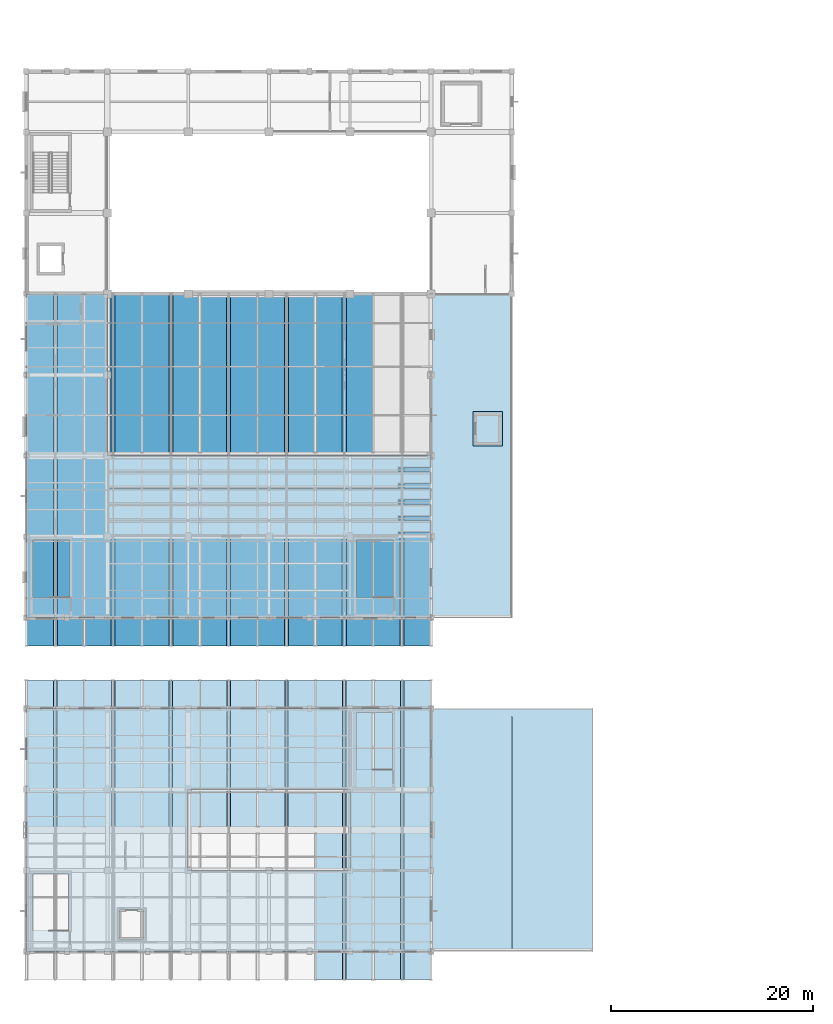
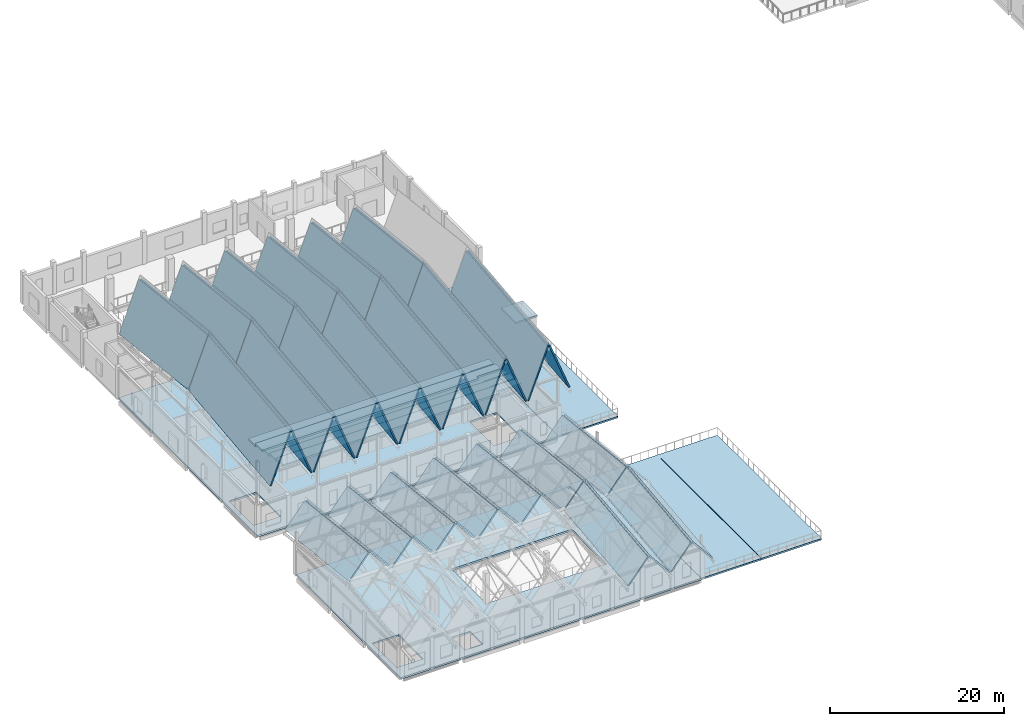
# One storey, part 27 of 77: 54 slabs.
"""IFC4 building model written with IfcOpenShell, lengths in metres."""

from ifc_helpers import new_model, si_unit, direction, frame, origin, place, context, subcontext, project, spatial, polyline, outline, extrude, material, layer, layer_set, type_object, element, save


model = new_model("IFC4")

# Units and contexts
model_context = context("Model", 3, precision=1e-05, world=origin(), true_north=direction((0.0, 1.0)))
body_context = subcontext(model_context, "Body", "Model", "MODEL_VIEW")
ifc_project = project(units=[si_unit("LENGTHUNIT", "METRE"), si_unit("AREAUNIT", "SQUARE_METRE"), si_unit("VOLUMEUNIT", "CUBIC_METRE"), si_unit("PLANEANGLEUNIT", "RADIAN"), si_unit("MASSUNIT", "GRAM", prefix="KILO")], contexts=[model_context])

# Site, building, storey
site_placement = place(None, origin())
site = spatial("IfcSite", under=ifc_project, at=site_placement, CompositionType="ELEMENT")
building_placement = place(site_placement, origin())
building = spatial("IfcBuilding", under=site, at=building_placement, Name="Luwemba Playhouse", CompositionType="ELEMENT")
storey_placement = place(building_placement, frame((0.0, 0.0, 9.300048828125)))
storey = spatial("IfcBuildingStorey", under=building, at=storey_placement, Name="L02", CompositionType="ELEMENT", Elevation=9.300048828125)

# Slabs
ifc_material_1 = material(Name="Concrete C40/50", Category="concrete")
ifc_layer_1 = layer(ifc_material_1, 0.25)
ifc_layer_set_1 = layer_set([ifc_layer_1], Name="Concrete C40/50")
slab_type_1 = type_object("IfcSlabType", Name="SLB-FLR-250", PredefinedType="FLOOR", material=ifc_layer_set_1)
slab_1_placement = place(storey_placement, frame((0.0, 0.0, -0.25)))
element("IfcSlab", 1, at=slab_1_placement, inside=storey, type_object=slab_type_1, Name="L02 V1 structural floor slab", PredefinedType="FLOOR", context=body_context, shape_type="SweptSolid", body=[
    extrude(outline(polyline([(4.0, 36.0), (4.0, 68.0), (12.0, 68.0), (12.0, 52.0), (44.0, 52.0), (44.0, 36.0), (4.0, 36.0)]), holes=[polyline([(8.25, 43.659912109375), (4.64990234375, 43.659912109375), (4.64990234375, 38.0400390625), (8.25, 38.0400390625), (8.25, 43.659912109375)]), polyline([(40.25, 38.0400390625), (40.25, 43.659912109375), (36.64990234375, 43.659912109375), (36.64990234375, 38.0400390625), (40.25, 38.0400390625)])]), origin(), (0.0, 0.0, 1.0), 0.25),
])
slab_2_placement = place(storey_placement, frame((0.0, 0.0, -0.25)))
element("IfcSlab", 2, at=slab_2_placement, inside=storey, type_object=slab_type_1, Name="L02 V5W structural floor slab", PredefinedType="FLOOR", context=body_context, shape_type="SweptSolid", body=[
    extrude(outline(polyline([(44.0, 27.0), (44.0, 3.0), (4.0, 3.0), (4.0, 27.0), (44.0, 27.0)]), holes=[polyline([(13.199951171875, 4.199951171875), (15.60009765625, 4.199951171875), (15.60009765625, 7.10009765625), (13.199951171875, 7.10009765625), (13.199951171875, 4.199951171875)]), polyline([(8.14990234375, 5.0400390625), (8.14990234375, 10.659912109375), (4.64990234375, 10.659912109375), (4.64990234375, 5.0400390625), (8.14990234375, 5.0400390625)]), polyline([(20.0, 11.0), (36.0, 11.0), (36.0, 19.0), (20.0, 19.0), (20.0, 11.0)]), polyline([(40.14990234375, 20.9599609375), (40.14990234375, 26.580078125), (36.64990234375, 26.580078125), (36.64990234375, 20.9599609375), (40.14990234375, 20.9599609375)])]), origin(), (0.0, 0.0, 1.0), 0.25),
])
ifc_material_2 = material(Name="Concrete C32/40", Category="concrete")
ifc_layer_2 = layer(ifc_material_2, 0.199951171875)
ifc_layer_set_2 = layer_set([ifc_layer_2], Name="Concrete C32/40")
slab_type_2 = type_object("IfcSlabType", Name="SLB-ROOF-200", PredefinedType="ROOF", material=ifc_layer_set_2)
slab_3_placement = place(storey_placement, frame((4.0400390625, 33.199951171875, 8.649658203125), z_axis=(-0.932205317915, -0.040344394789, 0.359674262437), x_axis=(0.359967335793, 0.0, 0.932964906715)))
element("IfcSlab", 3, at=slab_3_placement, inside=storey, type_object=slab_type_2, Name="RF-V1 pleated roof facet 1S", PredefinedType="ROOF", context=body_context, shape_type="SweptSolid", body=[
    extrude(outline(polyline([(0.0, 0.0), (7.265877360401482, 1.3877787807814457e-17), (9.227016971440698, 18.755260139423207), (1.961139611039215, 18.755260139423207), (0.0, 0.0)])), origin(), (0.0, 0.0, -1.0), 0.199951171875),
])
slab_4_placement = place(storey_placement, frame((4.0400390625, 52.06005859375, 10.751708984375), z_axis=(-0.932207523202, 0.040343594112, 0.359668636525), x_axis=(0.359961702833, 2.43781e-07, 0.932967080069)))
element("IfcSlab", 4, at=slab_4_placement, inside=storey, type_object=slab_type_2, Name="RF-V1 pleated roof facet 1N", PredefinedType="ROOF", context=body_context, shape_type="SweptSolid", body=[
    extrude(outline(polyline([(0.0, 0.0), (7.265877360268832, -2.7755575615628914e-17), (5.597883705260919, 15.952927865763767), (-1.6682214301739455, 15.952931411265745), (0.0, 0.0)])), origin(), (0.0, 0.0, -1.0), 0.199951171875),
])
slab_5_placement = place(storey_placement, frame((7.05859375, 33.199951171875, 15.4287109375), z_axis=(0.932202715379, -0.040345141991, 0.359680923818), x_axis=(0.359974013471, 0.0, -0.932962330229)))
element("IfcSlab", 5, at=slab_5_placement, inside=storey, type_object=slab_type_2, Name="RF-V1 pleated roof facet 2S", PredefinedType="ROOF", context=body_context, shape_type="SweptSolid", body=[
    extrude(outline(polyline([(0.0, 0.0), (7.266420792508808, -1.3877787807814457e-17), (5.305286597375122, 18.755260705735378), (-1.9611341951336851, 18.755260705735378), (0.0, 0.0)])), origin(), (0.0, 0.0, -1.0), 0.199951171875),
])
slab_6_placement = place(storey_placement, frame((7.05859375, 52.06005859375, 17.53076171875), z_axis=(0.93220282535, 0.040342222635, 0.359680966249), x_axis=(0.359974013471, 0.0, -0.932962330229)))
element("IfcSlab", 6, at=slab_6_placement, inside=storey, type_object=slab_type_2, Name="RF-V1 pleated roof facet 2N", PredefinedType="ROOF", context=body_context, shape_type="SweptSolid", body=[
    extrude(outline(polyline([(0.0, 0.0), (7.266420792508808, 0.0), (8.934409841401257, 15.952928347426106), (1.667989048892448, 15.952928347426107), (0.0, 0.0)])), origin(), (0.0, 0.0, -1.0), 0.199951171875),
])
slab_7_placement = place(storey_placement, frame((9.75439453125, 33.199951171875, 8.649658203125), z_axis=(-0.932207604932, -0.040341424428, 0.359668668058), x_axis=(0.359961684468, 2.4376e-07, 0.932967087155)))
element("IfcSlab", 7, at=slab_7_placement, inside=storey, type_object=slab_type_2, Name="RF-V1 pleated roof facet 3S", PredefinedType="ROOF", context=body_context, shape_type="SweptSolid", body=[
    extrude(outline(polyline([(0.0, 0.0), (7.26610513543573, 1.3877787807814457e-17), (9.227026122760481, 18.75525563724972), (1.961148762492514, 18.75525918244988), (0.0, 0.0)])), origin(), (0.0, 0.0, -1.0), 0.199951171875),
])
slab_8_placement = place(storey_placement, frame((9.75439453125, 52.06005859375, 10.751708984375), z_axis=(-0.932207523202, 0.040343594112, 0.359668636525), x_axis=(0.359961702833, 2.43781e-07, 0.932967080069)))
element("IfcSlab", 8, at=slab_8_placement, inside=storey, type_object=slab_type_2, Name="RF-V1 pleated roof facet 3N", PredefinedType="ROOF", context=body_context, shape_type="SweptSolid", body=[
    extrude(outline(polyline([(0.0, 0.0), (7.265877360268832, -2.7755575615628914e-17), (5.597883705260919, 15.952927865763767), (-1.6682214301739455, 15.952931411265745), (0.0, 0.0)])), origin(), (0.0, 0.0, -1.0), 0.199951171875),
])
slab_9_placement = place(storey_placement, frame((12.77294921875, 33.199951171875, 15.4287109375), z_axis=(0.932202715379, -0.040345141991, 0.359680923818), x_axis=(0.359974013471, 0.0, -0.932962330229)))
element("IfcSlab", 9, at=slab_9_placement, inside=storey, type_object=slab_type_2, Name="RF-V1 pleated roof facet 4S", PredefinedType="ROOF", context=body_context, shape_type="SweptSolid", body=[
    extrude(outline(polyline([(0.0, 0.0), (7.266420792508808, -1.3877787807814457e-17), (5.305286597375122, 18.755260705735378), (-1.9611341951336851, 18.755260705735378), (0.0, 0.0)])), origin(), (0.0, 0.0, -1.0), 0.199951171875),
])
slab_10_placement = place(storey_placement, frame((12.77294921875, 52.06005859375, 17.53076171875), z_axis=(0.93220282535, 0.040342222635, 0.359680966249), x_axis=(0.359974013471, 0.0, -0.932962330229)))
element("IfcSlab", 10, at=slab_10_placement, inside=storey, type_object=slab_type_2, Name="RF-V1 pleated roof facet 4N", PredefinedType="ROOF", context=body_context, shape_type="SweptSolid", body=[
    extrude(outline(polyline([(0.0, 0.0), (7.266420792508808, 0.0), (8.934409841401257, 15.952928347426106), (1.667989048892448, 15.952928347426107), (0.0, 0.0)])), origin(), (0.0, 0.0, -1.0), 0.199951171875),
])
slab_11_placement = place(storey_placement, frame((15.468505859375, 33.199951171875, 8.649658203125), z_axis=(-0.932209715627, -0.040343132146, 0.359663005853), x_axis=(0.359956051671, 0.0, 0.932969260408)))
element("IfcSlab", 11, at=slab_11_placement, inside=storey, type_object=slab_type_2, Name="RF-V1 pleated roof facet 5S", PredefinedType="ROOF", context=body_context, shape_type="SweptSolid", body=[
    extrude(outline(polyline([(0.0, 0.0), (7.266105135568376, -1.3877787807814457e-17), (9.22725389829038, 18.755259182477275), (1.9611487627220041, 18.755259182477275), (0.0, 0.0)])), origin(), (0.0, 0.0, -1.0), 0.199951171875),
])
slab_12_placement = place(storey_placement, frame((15.468505859375, 52.06005859375, 10.751708984375), z_axis=(-0.932209618417, 0.040345712669, 0.359662968347), x_axis=(0.359956051671, 0.0, 0.932969260408)))
element("IfcSlab", 12, at=slab_12_placement, inside=storey, type_object=slab_type_2, Name="RF-V1 pleated roof facet 5N", PredefinedType="ROOF", context=body_context, shape_type="SweptSolid", body=[
    extrude(outline(polyline([(0.0, 0.0), (7.266105135568375, 1.3877787807814457e-17), (5.5978759209137925, 15.952930597289685), (-1.6682292146545825, 15.952930597289686), (0.0, 0.0)])), origin(), (0.0, 0.0, -1.0), 0.199951171875),
])
slab_13_placement = place(storey_placement, frame((18.4873046875, 33.199951171875, 15.4287109375), z_axis=(0.932214112926, -0.040341869576, 0.35965174992), x_axis=(0.359944768203, 0.0, -0.932973613691)))
element("IfcSlab", 13, at=slab_13_placement, inside=storey, type_object=slab_type_2, Name="RF-V1 pleated roof facet 6S", PredefinedType="ROOF", context=body_context, shape_type="SweptSolid", body=[
    extrude(outline(polyline([(0.0, 0.0), (7.266332911798132, -1.3877787807814457e-17), (5.305174998253952, 18.755258225616814), (-1.9611579135441803, 18.755258225616814), (0.0, 0.0)])), origin(), (0.0, 0.0, -1.0), 0.199951171875),
])
slab_14_placement = place(storey_placement, frame((18.4873046875, 52.06005859375, 17.53076171875), z_axis=(0.932211920707, 0.040342331511, 0.359657380266), x_axis=(0.359950400673, 2.4375e-07, -0.932971440643)))
element("IfcSlab", 14, at=slab_14_placement, inside=storey, type_object=slab_type_2, Name="RF-V1 pleated roof facet 6N", PredefinedType="ROOF", context=body_context, shape_type="SweptSolid", body=[
    extrude(outline(polyline([(0.0, 0.0), (7.266332911665499, 1.3877787807814457e-17), (8.934342133898962, 15.952926238090399), (1.6682369984640897, 15.952929783259139), (0.0, 0.0)])), origin(), (0.0, 0.0, -1.0), 0.199951171875),
])
slab_15_placement = place(storey_placement, frame((21.182861328125, 33.199951171875, 8.649658203125), z_axis=(-0.932209715627, -0.040343132146, 0.359663005853), x_axis=(0.359956051671, 0.0, 0.932969260408)))
element("IfcSlab", 15, at=slab_15_placement, inside=storey, type_object=slab_type_2, Name="RF-V1 pleated roof facet 7S", PredefinedType="ROOF", context=body_context, shape_type="SweptSolid", body=[
    extrude(outline(polyline([(0.0, 0.0), (7.266105135568376, -1.3877787807814457e-17), (9.22725389829038, 18.755259182477275), (1.9611487627220041, 18.755259182477275), (0.0, 0.0)])), origin(), (0.0, 0.0, -1.0), 0.199951171875),
])
slab_16_placement = place(storey_placement, frame((21.182861328125, 52.06005859375, 10.751708984375), z_axis=(-0.932209618417, 0.040345712669, 0.359662968347), x_axis=(0.359956051671, 0.0, 0.932969260408)))
element("IfcSlab", 16, at=slab_16_placement, inside=storey, type_object=slab_type_2, Name="RF-V1 pleated roof facet 7N", PredefinedType="ROOF", context=body_context, shape_type="SweptSolid", body=[
    extrude(outline(polyline([(0.0, 0.0), (7.266105135568375, 1.3877787807814457e-17), (5.5978759209137925, 15.952930597289685), (-1.6682292146545825, 15.952930597289686), (0.0, 0.0)])), origin(), (0.0, 0.0, -1.0), 0.199951171875),
])
slab_17_placement = place(storey_placement, frame((24.20166015625, 33.199951171875, 15.4287109375), z_axis=(0.932209715627, -0.040343132146, 0.359663005853), x_axis=(0.359956051671, 0.0, -0.932969260408)))
element("IfcSlab", 17, at=slab_17_placement, inside=storey, type_object=slab_type_2, Name="RF-V1 pleated roof facet 8S", PredefinedType="ROOF", context=body_context, shape_type="SweptSolid", body=[
    extrude(outline(polyline([(0.0, 0.0), (7.266105135568376, 1.3877787807814457e-17), (5.304956372846372, 18.755259182477275), (-1.9611487627220041, 18.755259182477275), (0.0, 0.0)])), origin(), (0.0, 0.0, -1.0), 0.199951171875),
])
slab_18_placement = place(storey_placement, frame((24.20166015625, 52.06005859375, 17.53076171875), z_axis=(0.932209618417, 0.040345712669, 0.359662968347), x_axis=(0.359956051671, 0.0, -0.932969260408)))
element("IfcSlab", 18, at=slab_18_placement, inside=storey, type_object=slab_type_2, Name="RF-V1 pleated roof facet 8N", PredefinedType="ROOF", context=body_context, shape_type="SweptSolid", body=[
    extrude(outline(polyline([(0.0, 0.0), (7.266105135568375, -1.3877787807814457e-17), (8.934334350222958, 15.952930597289685), (1.6682292146545825, 15.952930597289686), (0.0, 0.0)])), origin(), (0.0, 0.0, -1.0), 0.199951171875),
])
slab_19_placement = place(storey_placement, frame((26.897216796875, 33.199951171875, 8.6494140625), z_axis=(-0.932214112926, -0.040341869576, 0.35965174992), x_axis=(0.359944768203, 0.0, 0.932973613691)))
element("IfcSlab", 19, at=slab_19_placement, inside=storey, type_object=slab_type_2, Name="RF-V1 pleated roof facet 9S", PredefinedType="ROOF", context=body_context, shape_type="SweptSolid", body=[
    extrude(outline(polyline([(0.0, 0.0), (7.266332911798132, 1.3877787807814457e-17), (9.227490825342311, 18.755258225616814), (1.9611579135441803, 18.755258225616814), (0.0, 0.0)])), origin(), (0.0, 0.0, -1.0), 0.199951171875),
])
slab_20_placement = place(storey_placement, frame((26.897216796875, 52.06005859375, 10.75146484375), z_axis=(-0.932211920707, 0.040342331511, 0.359657380266), x_axis=(0.359950400673, -2.4375e-07, 0.932971440643)))
element("IfcSlab", 20, at=slab_20_placement, inside=storey, type_object=slab_type_2, Name="RF-V1 pleated roof facet 9N", PredefinedType="ROOF", context=body_context, shape_type="SweptSolid", body=[
    extrude(outline(polyline([(0.0, 0.0), (7.266332911665499, -1.3877787807814457e-17), (5.598095913201409, 15.95292978325914), (-1.668009222233464, 15.952926238090399), (0.0, 0.0)])), origin(), (0.0, 0.0, -1.0), 0.199951171875),
])
slab_21_placement = place(storey_placement, frame((29.916015625, 33.199951171875, 15.4287109375), z_axis=(0.932209715627, -0.040343132146, 0.359663005853), x_axis=(0.359956051671, 0.0, -0.932969260408)))
element("IfcSlab", 21, at=slab_21_placement, inside=storey, type_object=slab_type_2, Name="RF-V1 pleated roof facet 10S", PredefinedType="ROOF", context=body_context, shape_type="SweptSolid", body=[
    extrude(outline(polyline([(0.0, 0.0), (7.266105135568376, 1.3877787807814457e-17), (5.304956372846372, 18.755259182477275), (-1.9611487627220041, 18.755259182477275), (0.0, 0.0)])), origin(), (0.0, 0.0, -1.0), 0.199951171875),
])
slab_22_placement = place(storey_placement, frame((29.916015625, 52.06005859375, 17.53076171875), z_axis=(0.932209618417, 0.040345712669, 0.359662968347), x_axis=(0.359956051671, 0.0, -0.932969260408)))
element("IfcSlab", 22, at=slab_22_placement, inside=storey, type_object=slab_type_2, Name="RF-V1 pleated roof facet 10N", PredefinedType="ROOF", context=body_context, shape_type="SweptSolid", body=[
    extrude(outline(polyline([(0.0, 0.0), (7.266105135568375, -1.3877787807814457e-17), (8.934334350222958, 15.952930597289685), (1.6682292146545825, 15.952930597289686), (0.0, 0.0)])), origin(), (0.0, 0.0, -1.0), 0.199951171875),
])
slab_23_placement = place(storey_placement, frame((32.611328125, 33.199951171875, 8.6494140625), z_axis=(-0.932202715379, -0.040345141991, 0.359680923818), x_axis=(0.359974013471, 0.0, 0.932962330229)))
element("IfcSlab", 23, at=slab_23_placement, inside=storey, type_object=slab_type_2, Name="RF-V1 pleated roof facet 11S", PredefinedType="ROOF", context=body_context, shape_type="SweptSolid", body=[
    extrude(outline(polyline([(0.0, 0.0), (7.266420792508808, 1.3877787807814457e-17), (9.227554987642494, 18.75526070573538), (1.9611341951336851, 18.755260705735378), (0.0, 0.0)])), origin(), (0.0, 0.0, -1.0), 0.199951171875),
])
slab_24_placement = place(storey_placement, frame((32.611328125, 52.06005859375, 10.75146484375), z_axis=(-0.93220282535, 0.040342222635, 0.359680966249), x_axis=(0.359974013471, 0.0, 0.932962330229)))
element("IfcSlab", 24, at=slab_24_placement, inside=storey, type_object=slab_type_2, Name="RF-V1 pleated roof facet 11N", PredefinedType="ROOF", context=body_context, shape_type="SweptSolid", body=[
    extrude(outline(polyline([(0.0, 0.0), (7.266420792508808, 0.0), (5.598431743616359, 15.952928347426106), (-1.667989048892448, 15.952928347426107), (0.0, 0.0)])), origin(), (0.0, 0.0, -1.0), 0.199951171875),
])
slab_25_placement = place(storey_placement, frame((35.630126953125, 33.199951171875, 15.4287109375), z_axis=(0.932207604932, -0.040341424428, 0.359668668058), x_axis=(0.359961684468, -2.4376e-07, -0.932967087155)))
element("IfcSlab", 25, at=slab_25_placement, inside=storey, type_object=slab_type_2, Name="RF-V1 pleated roof facet 12S", PredefinedType="ROOF", context=body_context, shape_type="SweptSolid", body=[
    extrude(outline(polyline([(0.0, 0.0), (7.26610513543573, -1.3877787807814457e-17), (5.304956372943216, 18.75525918244988), (-1.9609209873247513, 18.75525563724972), (0.0, 0.0)])), origin(), (0.0, 0.0, -1.0), 0.199951171875),
])
slab_26_placement = place(storey_placement, frame((35.630126953125, 52.06005859375, 17.530517578125), z_axis=(0.932207523202, 0.040343594112, 0.359668636525), x_axis=(0.359961702833, -2.43781e-07, -0.932967080069)))
element("IfcSlab", 26, at=slab_26_placement, inside=storey, type_object=slab_type_2, Name="RF-V1 pleated roof facet 12N", PredefinedType="ROOF", context=body_context, shape_type="SweptSolid", body=[
    extrude(outline(polyline([(0.0, 0.0), (7.265877360268832, 2.7755575615628914e-17), (8.934098790442778, 15.952931411265743), (1.6679936550079129, 15.952927865763769), (0.0, 0.0)])), origin(), (0.0, 0.0, -1.0), 0.199951171875),
])
slab_27_placement = place(storey_placement, frame((38.32568359375, 33.199951171875, 8.6494140625), z_axis=(-0.932202715379, -0.040345141991, 0.359680923818), x_axis=(0.359974013471, 0.0, 0.932962330229)))
element("IfcSlab", 27, at=slab_27_placement, inside=storey, type_object=slab_type_2, Name="RF-V1 pleated roof facet 13S", PredefinedType="ROOF", context=body_context, shape_type="SweptSolid", body=[
    extrude(outline(polyline([(0.0, 0.0), (7.266420792508808, 1.3877787807814457e-17), (9.227554987642494, 18.75526070573538), (1.9611341951336851, 18.755260705735378), (0.0, 0.0)])), origin(), (0.0, 0.0, -1.0), 0.199951171875),
])
slab_28_placement = place(storey_placement, frame((41.344482421875, 33.199951171875, 15.428466796875), z_axis=(0.932205317915, -0.040344394789, 0.359674262437), x_axis=(0.359967335793, 0.0, -0.932964906715)))
element("IfcSlab", 28, at=slab_28_placement, inside=storey, type_object=slab_type_2, Name="RF-V1 pleated roof facet 14S", PredefinedType="ROOF", context=body_context, shape_type="SweptSolid", body=[
    extrude(outline(polyline([(0.0, 0.0), (7.265877360401482, -1.3877787807814457e-17), (5.304737749362267, 18.755260139423207), (-1.961139611039215, 18.755260139423207), (0.0, 0.0)])), origin(), (0.0, 0.0, -1.0), 0.199951171875),
])
slab_29_placement = place(storey_placement, frame((4.0400390625, 15.06005859375, 6.24755859375), z_axis=(-0.768585900343, 0.071310400949, 0.635759813539), x_axis=(0.637382479229, 0.0, 0.770547581381)))
element("IfcSlab", 29, at=slab_29_placement, inside=storey, type_object=slab_type_2, Name="RF-V5W pleated roof facet 1N", PredefinedType="ROOF", context=body_context, shape_type="SweptSolid", body=[
    extrude(outline(polyline([(0.0, 0.0), (4.154411683785052, 0.0), (2.8804497157407107, 14.777611480519173), (-1.2739619680443413, 14.777611480519171), (0.0, 0.0)])), origin(), (0.0, 0.0, -1.0), 0.199951171875),
])
slab_30_placement = place(storey_placement, frame((7.026123046875, 15.06005859375, 9.44873046875), z_axis=(0.768556897924, 0.07131428463, 0.635794438055), x_axis=(0.637417369557, 0.0, -0.770518719427)))
element("IfcSlab", 30, at=slab_30_placement, inside=storey, type_object=slab_type_2, Name="RF-V5W pleated roof facet 2N", PredefinedType="ROOF", context=body_context, shape_type="SweptSolid", body=[
    extrude(outline(polyline([(0.0, 0.0), (4.154567299001048, 0.0), (5.428481548991364, 14.777615594163597), (1.2739142499903156, 14.777615594163597), (0.0, 0.0)])), origin(), (0.0, 0.0, -1.0), 0.199951171875),
])
slab_31_placement = place(storey_placement, frame((9.75439453125, 15.06005859375, 6.24755859375), z_axis=(-0.768585900343, 0.071310400949, 0.635759813539), x_axis=(0.637382479229, 0.0, 0.770547581381)))
element("IfcSlab", 31, at=slab_31_placement, inside=storey, type_object=slab_type_2, Name="RF-V5W pleated roof facet 3N", PredefinedType="ROOF", context=body_context, shape_type="SweptSolid", body=[
    extrude(outline(polyline([(0.0, 0.0), (4.154411683785052, 0.0), (2.8804497157407107, 14.777611480519173), (-1.2739619680443413, 14.777611480519171), (0.0, 0.0)])), origin(), (0.0, 0.0, -1.0), 0.199951171875),
])
slab_32_placement = place(storey_placement, frame((12.740478515625, 15.06005859375, 9.44873046875), z_axis=(0.768556897924, 0.07131428463, 0.635794438055), x_axis=(0.637417369557, 0.0, -0.770518719427)))
element("IfcSlab", 32, at=slab_32_placement, inside=storey, type_object=slab_type_2, Name="RF-V5W pleated roof facet 4N", PredefinedType="ROOF", context=body_context, shape_type="SweptSolid", body=[
    extrude(outline(polyline([(0.0, 0.0), (4.154567299001048, 0.0), (5.428481548991364, 14.777615594163597), (1.2739142499903156, 14.777615594163597), (0.0, 0.0)])), origin(), (0.0, 0.0, -1.0), 0.199951171875),
])
slab_33_placement = place(storey_placement, frame((15.468505859375, 15.06005859375, 6.24755859375), z_axis=(-0.768556897924, 0.07131428463, 0.635794438055), x_axis=(0.637417369557, 0.0, 0.770518719427)))
element("IfcSlab", 33, at=slab_33_placement, inside=storey, type_object=slab_type_2, Name="RF-V5W pleated roof facet 5N", PredefinedType="ROOF", context=body_context, shape_type="SweptSolid", body=[
    extrude(outline(polyline([(0.0, 0.0), (4.154567299001048, 0.0), (2.880653049010733, 14.777615594163596), (-1.2739142499903156, 14.777615594163597), (0.0, 0.0)])), origin(), (0.0, 0.0, -1.0), 0.199951171875),
])
slab_34_placement = place(storey_placement, frame((18.454833984375, 15.06005859375, 9.44873046875), z_axis=(0.768585900343, 0.071310400949, 0.635759813539), x_axis=(0.637382479229, 0.0, -0.770547581381)))
element("IfcSlab", 34, at=slab_34_placement, inside=storey, type_object=slab_type_2, Name="RF-V5W pleated roof facet 6N", PredefinedType="ROOF", context=body_context, shape_type="SweptSolid", body=[
    extrude(outline(polyline([(0.0, 0.0), (4.154411683785052, 0.0), (5.428373651829394, 14.777611480519171), (1.2739619680443413, 14.777611480519171), (0.0, 0.0)])), origin(), (0.0, 0.0, -1.0), 0.199951171875),
])
slab_35_placement = place(storey_placement, frame((21.182861328125, 15.06005859375, 6.24755859375), z_axis=(-0.768585900343, 0.071310400949, 0.635759813539), x_axis=(0.637382479229, 0.0, 0.770547581381)))
element("IfcSlab", 35, at=slab_35_placement, inside=storey, type_object=slab_type_2, Name="RF-V5W pleated roof facet 7N", PredefinedType="ROOF", context=body_context, shape_type="SweptSolid", body=[
    extrude(outline(polyline([(0.0, 0.0), (4.154411683785052, 0.0), (2.8804497157407107, 14.777611480519173), (-1.2739619680443413, 14.777611480519171), (0.0, 0.0)])), origin(), (0.0, 0.0, -1.0), 0.199951171875),
])
slab_36_placement = place(storey_placement, frame((24.169189453125, 15.06005859375, 9.44873046875), z_axis=(0.768585900343, 0.071310400949, 0.635759813539), x_axis=(0.637382479229, 0.0, -0.770547581381)))
element("IfcSlab", 36, at=slab_36_placement, inside=storey, type_object=slab_type_2, Name="RF-V5W pleated roof facet 8N", PredefinedType="ROOF", context=body_context, shape_type="SweptSolid", body=[
    extrude(outline(polyline([(0.0, 0.0), (4.154411683785052, 0.0), (5.428373651829394, 14.777611480519171), (1.2739619680443413, 14.777611480519171), (0.0, 0.0)])), origin(), (0.0, 0.0, -1.0), 0.199951171875),
])
slab_37_placement = place(storey_placement, frame((26.897216796875, 15.06005859375, 6.24755859375), z_axis=(-0.768585900343, 0.071310400949, 0.635759813539), x_axis=(0.637382479229, 0.0, 0.770547581381)))
element("IfcSlab", 37, at=slab_37_placement, inside=storey, type_object=slab_type_2, Name="RF-V5W pleated roof facet 9N", PredefinedType="ROOF", context=body_context, shape_type="SweptSolid", body=[
    extrude(outline(polyline([(0.0, 0.0), (4.154411683785052, 0.0), (2.8804497157407107, 14.777611480519173), (-1.2739619680443413, 14.777611480519171), (0.0, 0.0)])), origin(), (0.0, 0.0, -1.0), 0.199951171875),
])
for number, where, z_axis, x_axis, name in (
    (38, (29.88330078125, 15.06005859375, 9.44873046875), (0.768556897924, 0.07131428463, 0.635794438055), (0.637417369557, 0.0, -0.770518719427), "RF-V5W pleated roof facet 10N"),
    (39, (32.611328125, 0.199951171875, 4.59423828125), (-0.768556897924, -0.07131428463, 0.635794438055), (0.637417369557, 0.0, 0.770518719427), "RF-V5W pleated roof facet 11S"),
):
    element("IfcSlab", number, at=place(storey_placement, frame(where, z_axis=z_axis, x_axis=x_axis)), inside=storey, type_object=slab_type_2, Name=name, PredefinedType="ROOF", context=body_context, shape_type="SweptSolid", body=[
        extrude(outline(polyline([(0.0, 0.0), (4.154567299001048, 0.0), (5.428481548991364, 14.777615594163597), (1.2739142499903156, 14.777615594163597), (0.0, 0.0)])), origin(), (0.0, 0.0, -1.0), 0.199951171875),
    ])
slab_38_placement = place(storey_placement, frame((32.611328125, 15.06005859375, 6.24755859375), z_axis=(-0.768556897924, 0.07131428463, 0.635794438055), x_axis=(0.637417369557, 0.0, 0.770518719427)))
element("IfcSlab", 40, at=slab_38_placement, inside=storey, type_object=slab_type_2, Name="RF-V5W pleated roof facet 11N", PredefinedType="ROOF", context=body_context, shape_type="SweptSolid", body=[
    extrude(outline(polyline([(0.0, 0.0), (4.154567299001048, 0.0), (2.880653049010733, 14.777615594163596), (-1.2739142499903156, 14.777615594163597), (0.0, 0.0)])), origin(), (0.0, 0.0, -1.0), 0.199951171875),
])
slab_39_placement = place(storey_placement, frame((35.59765625, 0.199951171875, 7.79541015625), z_axis=(0.768585900343, -0.071310400949, 0.635759813539), x_axis=(0.637382479229, 0.0, -0.770547581381)))
element("IfcSlab", 41, at=slab_39_placement, inside=storey, type_object=slab_type_2, Name="RF-V5W pleated roof facet 12S", PredefinedType="ROOF", context=body_context, shape_type="SweptSolid", body=[
    extrude(outline(polyline([(0.0, 0.0), (4.154411683785052, 0.0), (2.8804497157407107, 14.777611480519173), (-1.2739619680443413, 14.777611480519171), (0.0, 0.0)])), origin(), (0.0, 0.0, -1.0), 0.199951171875),
])
slab_40_placement = place(storey_placement, frame((35.59765625, 15.06005859375, 9.44873046875), z_axis=(0.768585900343, 0.071310400949, 0.635759813539), x_axis=(0.637382479229, 0.0, -0.770547581381)))
element("IfcSlab", 42, at=slab_40_placement, inside=storey, type_object=slab_type_2, Name="RF-V5W pleated roof facet 12N", PredefinedType="ROOF", context=body_context, shape_type="SweptSolid", body=[
    extrude(outline(polyline([(0.0, 0.0), (4.154411683785052, 0.0), (5.428373651829394, 14.777611480519171), (1.2739619680443413, 14.777611480519171), (0.0, 0.0)])), origin(), (0.0, 0.0, -1.0), 0.199951171875),
])
slab_41_placement = place(storey_placement, frame((38.32568359375, 0.199951171875, 4.59423828125), z_axis=(-0.768556897924, -0.07131428463, 0.635794438055), x_axis=(0.637417369557, 0.0, 0.770518719427)))
element("IfcSlab", 43, at=slab_41_placement, inside=storey, type_object=slab_type_2, Name="RF-V5W pleated roof facet 13S", PredefinedType="ROOF", context=body_context, shape_type="SweptSolid", body=[
    extrude(outline(polyline([(0.0, 0.0), (4.154567299001048, 0.0), (5.428481548991364, 14.777615594163597), (1.2739142499903156, 14.777615594163597), (0.0, 0.0)])), origin(), (0.0, 0.0, -1.0), 0.199951171875),
])
slab_42_placement = place(storey_placement, frame((38.32568359375, 15.06005859375, 6.24755859375), z_axis=(-0.768556897924, 0.07131428463, 0.635794438055), x_axis=(0.637417369557, 0.0, 0.770518719427)))
element("IfcSlab", 44, at=slab_42_placement, inside=storey, type_object=slab_type_2, Name="RF-V5W pleated roof facet 13N", PredefinedType="ROOF", context=body_context, shape_type="SweptSolid", body=[
    extrude(outline(polyline([(0.0, 0.0), (4.154567299001048, 0.0), (2.880653049010733, 14.777615594163596), (-1.2739142499903156, 14.777615594163597), (0.0, 0.0)])), origin(), (0.0, 0.0, -1.0), 0.199951171875),
])
slab_43_placement = place(storey_placement, frame((41.31201171875, 0.199951171875, 7.79541015625), z_axis=(0.768585900343, -0.071310400949, 0.635759813539), x_axis=(0.637382479229, 0.0, -0.770547581381)))
element("IfcSlab", 45, at=slab_43_placement, inside=storey, type_object=slab_type_2, Name="RF-V5W pleated roof facet 14S", PredefinedType="ROOF", context=body_context, shape_type="SweptSolid", body=[
    extrude(outline(polyline([(0.0, 0.0), (4.154411683785052, 0.0), (2.8804497157407107, 14.777611480519173), (-1.2739619680443413, 14.777611480519171), (0.0, 0.0)])), origin(), (0.0, 0.0, -1.0), 0.199951171875),
])
slab_44_placement = place(storey_placement, frame((41.31201171875, 15.06005859375, 9.44873046875), z_axis=(0.768585900343, 0.071310400949, 0.635759813539), x_axis=(0.637382479229, 0.0, -0.770547581381)))
element("IfcSlab", 46, at=slab_44_placement, inside=storey, type_object=slab_type_2, Name="RF-V5W pleated roof facet 14N", PredefinedType="ROOF", context=body_context, shape_type="SweptSolid", body=[
    extrude(outline(polyline([(0.0, 0.0), (4.154411683785052, 0.0), (5.428373651829394, 14.777611480519171), (1.2739619680443413, 14.777611480519171), (0.0, 0.0)])), origin(), (0.0, 0.0, -1.0), 0.199951171875),
])
ifc_layer_3 = layer(ifc_material_2, 0.27490234375)
ifc_layer_set_3 = layer_set([ifc_layer_3], Name="Concrete C32/40")
slab_type_3 = type_object("IfcSlabType", Name="SLB-TIER-275", PredefinedType="USERDEFINED", material=ifc_layer_set_3)
slab_45_placement = place(storey_placement, frame((0.0, 0.0, 2.02490234375)))
element("IfcSlab", 47, at=slab_45_placement, inside=storey, type_object=slab_type_3, Name="Stand Upper Circle Bay 1", ObjectType="SEATING TIER", PredefinedType="USERDEFINED", context=body_context, shape_type="SweptSolid", body=[
    extrude(outline(polyline([(12.0, 44.0), (40.800048828125, 44.0), (40.800048828125, 44.449951171875), (44.0, 44.449951171875), (44.0, 45.580078125), (12.0, 45.580078125), (12.0, 44.0)])), origin(), (0.0, 0.0, 1.0), 0.275146484375),
])
slab_46_placement = place(storey_placement, frame((0.0, 0.0, 1.744873046875)))
element("IfcSlab", 48, at=slab_46_placement, inside=storey, type_object=slab_type_3, Name="Stand Upper Circle Bay 2", ObjectType="SEATING TIER", PredefinedType="USERDEFINED", context=body_context, shape_type="SweptSolid", body=[
    extrude(outline(polyline([(12.0, 45.60009765625), (40.800048828125, 45.60009765625), (40.800048828125, 46.050048828125), (44.0, 46.050048828125), (44.0, 47.179931640625), (12.0, 47.179931640625), (12.0, 45.60009765625)])), origin(), (0.0, 0.0, 1.0), 0.275146484375),
])
slab_47_placement = place(storey_placement, frame((0.0, 0.0, 1.46484375)))
element("IfcSlab", 49, at=slab_47_placement, inside=storey, type_object=slab_type_3, Name="Stand Upper Circle Bay 3", ObjectType="SEATING TIER", PredefinedType="USERDEFINED", context=body_context, shape_type="SweptSolid", body=[
    extrude(outline(polyline([(12.0, 47.199951171875), (40.800048828125, 47.199951171875), (40.800048828125, 47.64990234375), (44.0, 47.64990234375), (44.0, 48.780029296875), (12.0, 48.780029296875), (12.0, 47.199951171875)])), origin(), (0.0, 0.0, 1.0), 0.275146484375),
])
slab_48_placement = place(storey_placement, frame((0.0, 0.0, 1.18505859375)))
element("IfcSlab", 50, at=slab_48_placement, inside=storey, type_object=slab_type_3, Name="Stand Upper Circle Bay 4", ObjectType="SEATING TIER", PredefinedType="USERDEFINED", context=body_context, shape_type="SweptSolid", body=[
    extrude(outline(polyline([(12.0, 48.800048828125), (40.800048828125, 48.800048828125), (40.800048828125, 49.25), (44.0, 49.25), (44.0, 50.3798828125), (12.0, 50.3798828125), (12.0, 48.800048828125)])), origin(), (0.0, 0.0, 1.0), 0.27490234375),
])
slab_49_placement = place(storey_placement, frame((0.0, 0.0, 0.905029296875)))
element("IfcSlab", 51, at=slab_49_placement, inside=storey, type_object=slab_type_3, Name="Stand Upper Circle Bay 5", ObjectType="SEATING TIER", PredefinedType="USERDEFINED", context=body_context, shape_type="SweptSolid", body=[
    extrude(outline(polyline([(12.0, 50.39990234375), (40.800048828125, 50.39990234375), (40.800048828125, 50.85009765625), (44.0, 50.85009765625), (44.0, 51.97998046875), (12.0, 51.97998046875), (12.0, 50.39990234375)])), origin(), (0.0, 0.0, 1.0), 0.27490234375),
])
ifc_layer_4 = layer(ifc_material_1, 0.22998046875)
ifc_layer_set_4 = layer_set([ifc_layer_4], Name="Concrete C40/50")
slab_type_4 = type_object("IfcSlabType", Name="SLB-UPP-230", PredefinedType="FLOOR", material=ifc_layer_set_4)
slab_50_placement = place(storey_placement, frame((0.0, 0.0, -0.22998046875)))
element("IfcSlab", 52, at=slab_50_placement, inside=storey, type_object=slab_type_4, Name="L02 Lyric Cloister Terrace", PredefinedType="FLOOR", context=body_context, shape_type="SweptSolid", body=[
    extrude(outline(polyline([(44.0, 36.0), (51.969970703125, 36.0), (51.969970703125, 68.0), (44.0, 68.0), (44.0, 36.0)])), origin(), (0.0, 0.0, 1.0), 0.22998046875),
])
slab_51_placement = place(storey_placement, frame((0.0, 0.0, -0.22998046875)))
element("IfcSlab", 53, at=slab_51_placement, inside=storey, type_object=slab_type_4, Name="L02 South Belvedere Terrace", PredefinedType="FLOOR", context=body_context, shape_type="SweptSolid", body=[
    extrude(outline(polyline([(44.0, 3.0), (51.969970703125, 3.0), (51.969970703125, 26.199951171875), (52.030029296875, 26.199951171875), (52.030029296875, 3.0), (60.0, 3.0), (60.0, 27.0), (44.0, 27.0), (44.0, 3.0)])), origin(), (0.0, 0.0, 1.0), 0.22998046875),
])
slab_52_placement = place(storey_placement, frame((0.0, 0.0, 4.02001953125)))
element("IfcSlab", 54, at=slab_52_placement, inside=storey, type_object=slab_type_4, Name="Lift LF-P1 overrun cap slab", PredefinedType="FLOOR", context=body_context, shape_type="SweptSolid", body=[
    extrude(outline(polyline([(48.14990234375, 52.949951171875), (51.050048828125, 52.949951171875), (51.050048828125, 56.35009765625), (48.14990234375, 56.35009765625), (48.14990234375, 52.949951171875)])), origin(), (0.0, 0.0, 1.0), 0.22998046875),
])

save(model, "model.ifc")
